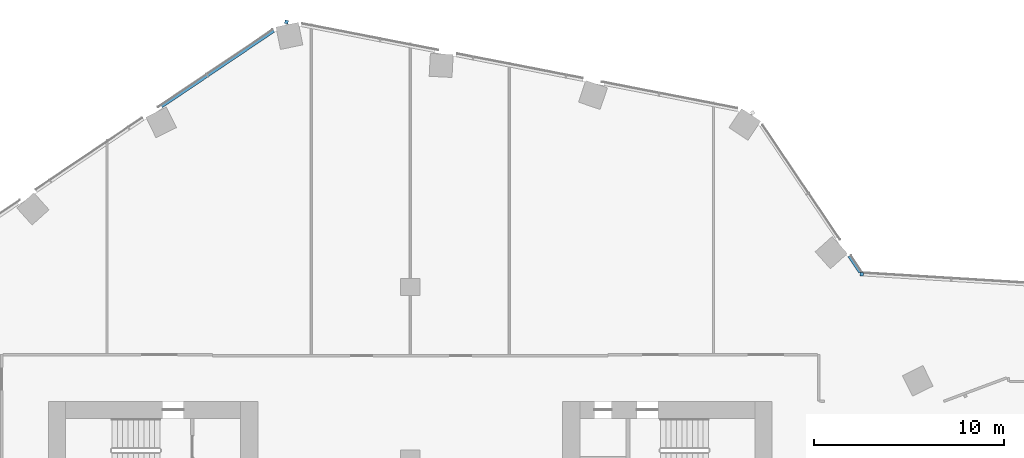
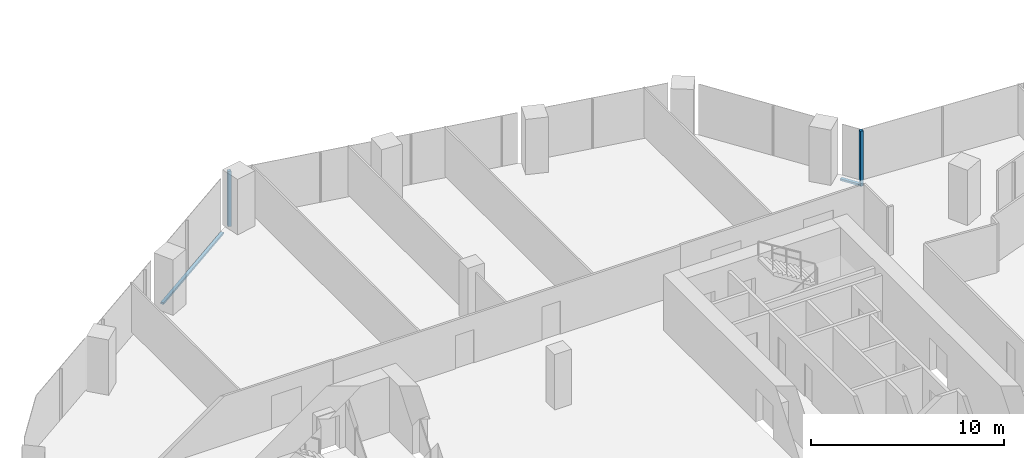
# One storey, part 11 of 32: 4 members, 4 elements without a shape of their own.
"""IFC4 building model written with IfcOpenShell, lengths in metres."""

from ifc_helpers import new_model, si_unit, direction, frame, origin, origin_2d, place, context, subcontext, project, spatial, rectangle, extrude, material, material_profile, profile_set, type_object, element, aggregate, save


model = new_model("IFC4")

# Units and contexts
model_context = context("Model", 3, precision=1e-05, world=origin(), true_north=direction((0.0, 1.0)))
body_context = subcontext(model_context, "Body", "Model", "MODEL_VIEW")
ifc_project = project(units=[si_unit("LENGTHUNIT", "METRE"), si_unit("AREAUNIT", "SQUARE_METRE"), si_unit("VOLUMEUNIT", "CUBIC_METRE"), si_unit("PLANEANGLEUNIT", "RADIAN"), si_unit("MASSUNIT", "GRAM", prefix="KILO")], contexts=[model_context])

# Site, building, storey
site_placement = place(None, origin())
site = spatial("IfcSite", under=ifc_project, at=site_placement, CompositionType="ELEMENT")
building_placement = place(site_placement, origin())
building = spatial("IfcBuilding", under=site, at=building_placement, Name="Orlundy Tower", CompositionType="ELEMENT")
storey_placement = place(building_placement, frame((0.0, 0.0, 149.10009765625)))
storey = spatial("IfcBuildingStorey", under=building, at=storey_placement, Name="L38", CompositionType="ELEMENT", Elevation=149.10009765625)

# Curtain wall, member
ifc_material_1 = material(Name="Aluminium bronze anodised", Category="aluminium")
curtain_wall_type = type_object("IfcCurtainWallType", Name="CW1 wall", PredefinedType="NOTDEFINED", material=ifc_material_1)
curtain_wall_1_placement = place(storey_placement, origin())
curtain_wall_1 = element("IfcCurtainWall", 1, at=curtain_wall_1_placement, inside=storey, type_object=curtain_wall_type, Name="CW1 run 016", PredefinedType="NOTDEFINED")
ifc_material_2 = material(Name="Aluminium bronze anodised", Category="aluminium")
ifc_material_profile_1 = material_profile(ifc_material_2, rectangle(XDim=0.179931640625, YDim=0.179931640625, at=origin_2d()), Name="CW1 corner post 180x180")
ifc_profile_set_1 = profile_set([ifc_material_profile_1], Name="Aluminium bronze anodised")
member_type_1 = type_object("IfcMemberType", Name="CW1 corner post 180x180", PredefinedType="MULLION", material=ifc_profile_set_1)
member_1_placement = place(storey_placement, frame((-6.493408203125, 31.91552734375, -0.400146484375), z_axis=(0.0, 0.0, 1.0), x_axis=(0.19080503976, 0.981627952333, 0.0)))
member_1 = element("IfcMember", 2, at=member_1_placement, type_object=member_type_1, Name="CW1 mullion 44", PredefinedType="MULLION", context=body_context, shape_type="SweptSolid", body=[
    extrude(rectangle(XDim=0.179931640625, YDim=0.179931640625, at=origin_2d()), origin(), (0.0, 0.0, 1.0), 3.5),
])
aggregate(curtain_wall_1, [member_1])

curtain_wall_2_placement = place(storey_placement, origin())
curtain_wall_2 = element("IfcCurtainWall", 3, at=curtain_wall_2_placement, inside=storey, type_object=curtain_wall_type, Name="CW1 run 018", PredefinedType="NOTDEFINED")
member_2_placement = place(storey_placement, frame((23.69677734375, 18.67822265625, -0.400146484375), z_axis=(0.0, 0.0, 1.0), x_axis=(0.061053768107, 0.998134478615, 0.0)))
member_2 = element("IfcMember", 4, at=member_2_placement, type_object=member_type_1, Name="CW1 mullion 51", PredefinedType="MULLION", context=body_context, shape_type="SweptSolid", body=[
    extrude(rectangle(XDim=0.179931640625, YDim=0.179931640625, at=origin_2d()), origin(), (0.0, 0.0, 1.0), 3.5),
])
aggregate(curtain_wall_2, [member_2])

curtain_wall_3_placement = place(storey_placement, origin())
curtain_wall_3 = element("IfcCurtainWall", 5, at=curtain_wall_3_placement, inside=storey, type_object=curtain_wall_type, Name="CW1 run 015", PredefinedType="NOTDEFINED")
ifc_material_3 = material(Name="Aluminium bronze anodised", Category="aluminium")
ifc_material_profile_2 = material_profile(ifc_material_3, rectangle(XDim=0.179931640625, YDim=0.1201171875, at=origin_2d()), Name="CW1 transom 180x120")
ifc_profile_set_2 = profile_set([ifc_material_profile_2], Name="Aluminium bronze anodised")
member_type_2 = type_object("IfcMemberType", Name="CW1 transom 180x120", PredefinedType="USERDEFINED", material=ifc_profile_set_2)
member_3_placement = place(storey_placement, frame((-13.05615234375, 27.48876953125, -0.340087890625), z_axis=(0.829040638781, 0.559188357576, 0.0), x_axis=(-0.559188357576, 0.829040638781, 0.0)))
member_3 = element("IfcMember", 6, at=member_3_placement, type_object=member_type_2, Name="CW1 transom", ObjectType="TRANSOM", PredefinedType="USERDEFINED", context=body_context, shape_type="SweptSolid", body=[
    extrude(rectangle(XDim=0.179931640625, YDim=0.1201171875, at=origin_2d()), origin(), (0.0, 0.0, 1.0), 7.104736328125),
])
aggregate(curtain_wall_3, [member_3])

curtain_wall_4_placement = place(storey_placement, origin())
curtain_wall_4 = element("IfcCurtainWall", 7, at=curtain_wall_4_placement, inside=storey, type_object=curtain_wall_type, Name="CW1 run 017", PredefinedType="NOTDEFINED")
member_4_placement = place(storey_placement, frame((23.0458984375, 19.64306640625, -0.340087890625), z_axis=(0.559197395463, -0.82903454265, 0.0), x_axis=(0.82903454265, 0.559197395463, 0.0)))
member_4 = element("IfcMember", 8, at=member_4_placement, type_object=member_type_2, Name="CW1 transom", ObjectType="TRANSOM", PredefinedType="USERDEFINED", context=body_context, shape_type="SweptSolid", body=[
    extrude(rectangle(XDim=0.179931640625, YDim=0.1201171875, at=origin_2d()), origin(), (0.0, 0.0, 1.0), 1.050537109375),
])
aggregate(curtain_wall_4, [member_4])

save(model, "model.ifc")
